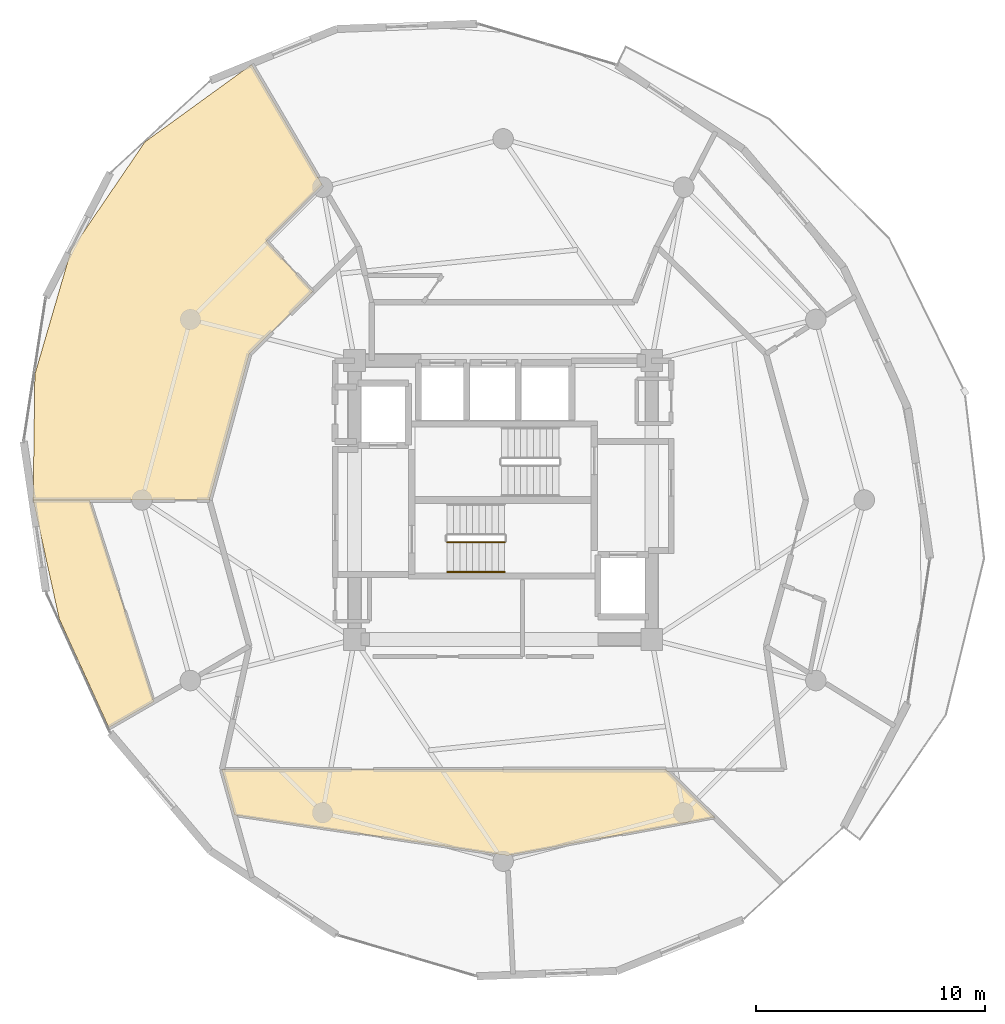
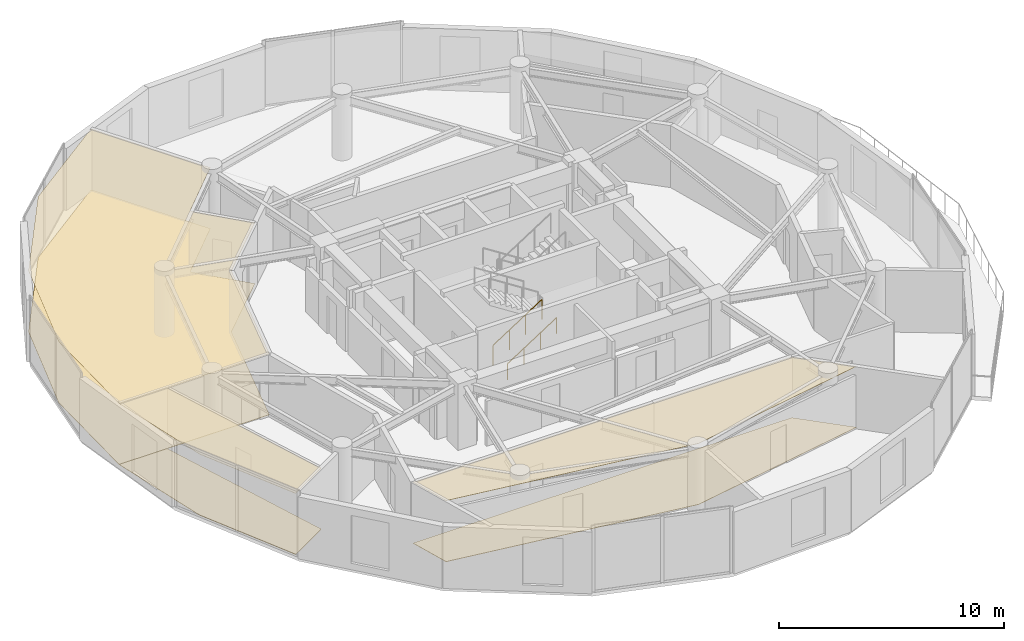
# One storey, part 22 of 24: 6 coverings, 2 railings.
"""IFC4 building model written with IfcOpenShell, lengths in metres."""

from ifc_helpers import new_model, si_unit, direction, frame, origin, origin_2d, place, context, subcontext, project, spatial, polyline, circle, outline, extrude, material, layer, layer_set, type_object, element, save


model = new_model("IFC4")

# Units and contexts
model_context = context("Model", 3, precision=1e-05, world=origin(), true_north=direction((0.0, 1.0)))
body_context = subcontext(model_context, "Body", "Model", "MODEL_VIEW")
ifc_project = project(units=[si_unit("LENGTHUNIT", "METRE"), si_unit("AREAUNIT", "SQUARE_METRE"), si_unit("VOLUMEUNIT", "CUBIC_METRE"), si_unit("PLANEANGLEUNIT", "RADIAN"), si_unit("MASSUNIT", "GRAM", prefix="KILO")], contexts=[model_context])

# Site, building, storey
site_placement = place(None, origin())
site = spatial("IfcSite", under=ifc_project, at=site_placement, CompositionType="ELEMENT")
building_placement = place(site_placement, origin())
building = spatial("IfcBuilding", under=site, at=building_placement, Name="Solvirekh Grand Hotel", CompositionType="ELEMENT")
storey_placement = place(building_placement, frame((0.0, 0.0, 184.0)))
storey = spatial("IfcBuildingStorey", under=building, at=storey_placement, Name="L47", CompositionType="ELEMENT", Elevation=184.0)

# Coverings
ifc_material_1 = material(Name="Acoustic Mineral Ceiling Tile")
ifc_layer_1 = layer(ifc_material_1, 0.02490234375)
ifc_layer_set_1 = layer_set([ifc_layer_1], Name="Acoustic Mineral Ceiling Tile")
covering_type_1 = type_object("IfcCoveringType", Name="Cov_Ceiling_Acoustic", PredefinedType="CEILING", material=ifc_layer_set_1)
covering_1_placement = place(storey_placement, frame((0.0, 0.0, 3.31005859375)))
element("IfcCovering", 1, at=covering_1_placement, inside=storey, type_object=covering_type_1, Name="L47 Diplomatic Suite 4902 Living Room acoustic ceiling", PredefinedType="CEILING", context=body_context, shape_type="SweptSolid", body=[
    extrude(outline(polyline([(-10.367919921875, 11.3330078125), (-7.9150390625, 13.7939453125), (-11.0009765625, 19.053955078125), (-15.66796875, 15.66796875), (-18.906005859375, 10.916015625), (-20.488037109375, 5.489990234375), (-20.56103515625, 0.0), (-12.85009765625, 0.0), (-11.10205078125, 6.39990234375), (-8.3310546875, 9.116943359375), (-10.367919921875, 11.3330078125)])), origin(), (0.0, 0.0, 1.0), 0.017822265625),
])
covering_2_placement = place(storey_placement, frame((0.0, 0.0, 3.31005859375)))
element("IfcCovering", 2, at=covering_2_placement, inside=storey, type_object=covering_type_1, Name="L47 Diplomatic Suite 4902 Master Bedroom acoustic ceiling", PredefinedType="CEILING", context=body_context, shape_type="SweptSolid", body=[
    extrude(outline(polyline([(-20.56103515625, 0.0), (-19.4189453125, -5.202880859375), (-17.25, -9.958984375), (-15.282958984375, -8.820068359375), (-18.093017578125, 0.0), (-20.56103515625, 0.0)])), origin(), (0.0, 0.0, 1.0), 0.017822265625),
])
covering_3_placement = place(storey_placement, frame((0.0, 0.0, 3.31005859375)))
element("IfcCovering", 3, at=covering_3_placement, inside=storey, type_object=covering_type_1, Name="L47 L47 Imperial Tea Lounge acoustic ceiling", PredefinedType="CEILING", context=body_context, shape_type="SweptSolid", body=[
    extrude(outline(polyline([(-11.7451171875, -13.783935546875), (0.181884765625, -15.554931640625), (9.2529296875, -13.885009765625), (7.134033203125, -11.800048828125), (0.0, -11.800048828125), (-12.300048828125, -11.800048828125), (-11.7451171875, -13.783935546875)])), origin(), (0.0, 0.0, 1.0), 0.017822265625),
])
ifc_material_2 = material(Name="Porcelain Stoneware Flooring", Category="masonry")
ifc_layer_2 = layer(ifc_material_2, 0.030029296875)
ifc_layer_set_2 = layer_set([ifc_layer_2], Name="Porcelain Stoneware Flooring")
covering_type_2 = type_object("IfcCoveringType", Name="Cov_Floor_Stone", PredefinedType="FLOORING", material=ifc_layer_set_2)
covering_4_placement = place(storey_placement, origin())
element("IfcCovering", 4, at=covering_4_placement, inside=storey, type_object=covering_type_2, Name="L47 Diplomatic Suite 4902 Living Room polished granite flooring", PredefinedType="FLOORING", context=body_context, shape_type="SweptSolid", body=[
    extrude(outline(polyline([(-10.367919921875, 11.3330078125), (-7.9150390625, 13.7939453125), (-11.0009765625, 19.053955078125), (-15.66796875, 15.66796875), (-18.906005859375, 10.916015625), (-20.488037109375, 5.489990234375), (-20.56103515625, 0.0), (-12.85009765625, 0.0), (-11.10205078125, 6.39990234375), (-8.3310546875, 9.116943359375), (-10.367919921875, 11.3330078125)])), origin(), (0.0, 0.0, 1.0), 0.02001953125),
])
covering_5_placement = place(storey_placement, origin())
element("IfcCovering", 5, at=covering_5_placement, inside=storey, type_object=covering_type_2, Name="L47 Diplomatic Suite 4902 Master Bedroom polished granite flooring", PredefinedType="FLOORING", context=body_context, shape_type="SweptSolid", body=[
    extrude(outline(polyline([(-20.56103515625, 0.0), (-19.4189453125, -5.202880859375), (-17.25, -9.958984375), (-15.282958984375, -8.820068359375), (-18.093017578125, 0.0), (-20.56103515625, 0.0)])), origin(), (0.0, 0.0, 1.0), 0.02001953125),
])
covering_6_placement = place(storey_placement, origin())
element("IfcCovering", 6, at=covering_6_placement, inside=storey, type_object=covering_type_2, Name="L47 L47 Imperial Tea Lounge polished granite flooring", PredefinedType="FLOORING", context=body_context, shape_type="SweptSolid", body=[
    extrude(outline(polyline([(-11.7451171875, -13.783935546875), (0.181884765625, -15.554931640625), (9.2529296875, -13.885009765625), (7.134033203125, -11.800048828125), (0.0, -11.800048828125), (-12.300048828125, -11.800048828125), (-11.7451171875, -13.783935546875)])), origin(), (0.0, 0.0, 1.0), 0.02001953125),
])

# Railings
ifc_material_3 = material(Name="Steel S355", Category="steel")
railing_type_1 = type_object("IfcRailingType", Name="Guard_Stair_1100", PredefinedType="GUARDRAIL", material=ifc_material_3)
railing_1_placement = place(storey_placement, frame((-2.449951171875, -1.85009765625, 0.179931640625)))
element("IfcRailing", 7, at=railing_1_placement, inside=storey, type_object=railing_type_1, Name="L47 ST-1 stair guard 1", PredefinedType="GUARDRAIL", context=body_context, shape_type="SweptSolid", body=[
    extrude(circle(Radius=0.02392578125, at=origin_2d()), frame((0.0, 0.0, 1.076171875), z_axis=(0.841162588446, 0.0, 0.540782303519), x_axis=(0.0, 1.0, 0.0)), (0.0, 0.0, 1.0), 2.995849609375),
    extrude(circle(Radius=0.02099609375, at=origin_2d()), origin(), (0.0, 0.0, 1.0), 1.052001953125),
    extrude(circle(Radius=0.02099609375, at=origin_2d()), frame((0.840087890625, 0.0, 0.5400390625)), (0.0, 0.0, 1.0), 1.052001953125),
    extrude(circle(Radius=0.02099609375, at=origin_2d()), frame((1.679931640625, 0.0, 1.080078125)), (0.0, 0.0, 1.0), 1.052001953125),
    extrude(circle(Radius=0.02099609375, at=origin_2d()), frame((2.52001953125, 0.0, 1.6201171875)), (0.0, 0.0, 1.0), 1.052001953125),
])
ifc_material_4 = material(Name="Anodized Bronze Aluminium 6063-T6", Category="aluminium")
railing_type_2 = type_object("IfcRailingType", Name="Handrail_Wall_900", PredefinedType="HANDRAIL", material=ifc_material_4)
railing_2_placement = place(storey_placement, frame((-2.449951171875, -3.14990234375, 0.179931640625)))
element("IfcRailing", 8, at=railing_2_placement, inside=storey, type_object=railing_type_2, Name="L47 ST-1 stair handrail 1", PredefinedType="HANDRAIL", context=body_context, shape_type="SweptSolid", body=[
    extrude(circle(Radius=0.02392578125, at=origin_2d()), frame((0.0, 0.0, 0.8759765625), z_axis=(0.841162588446, 0.0, 0.540782303519), x_axis=(0.0, 1.0, 0.0)), (0.0, 0.0, 1.0), 2.995849609375),
    extrude(circle(Radius=0.02099609375, at=origin_2d()), origin(), (0.0, 0.0, 1.0), 0.851806640625),
    extrude(circle(Radius=0.02099609375, at=origin_2d()), frame((0.840087890625, 0.0, 0.5400390625)), (0.0, 0.0, 1.0), 0.851806640625),
    extrude(circle(Radius=0.02099609375, at=origin_2d()), frame((1.679931640625, 0.0, 1.080078125)), (0.0, 0.0, 1.0), 0.851806640625),
    extrude(circle(Radius=0.02099609375, at=origin_2d()), frame((2.52001953125, 0.0, 1.6201171875)), (0.0, 0.0, 1.0), 0.851806640625),
])

save(model, "model.ifc")
